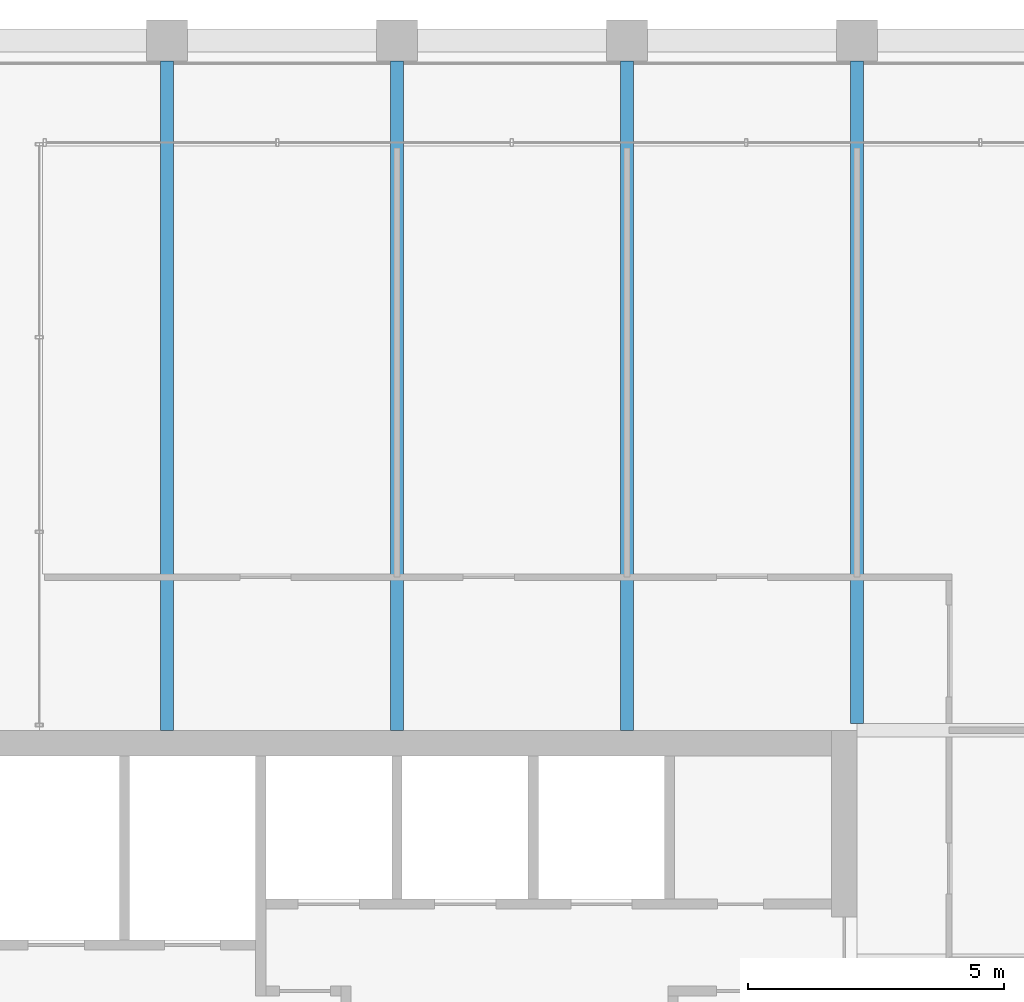
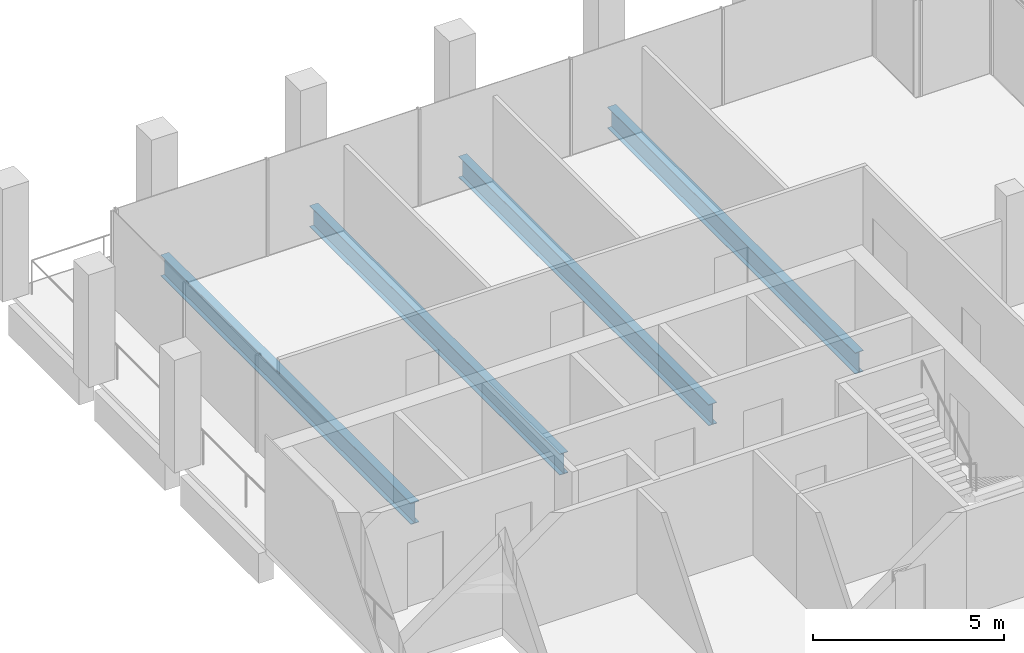
# One storey, part 24 of 62: 4 beams.
"""IFC4 building model written with IfcOpenShell, lengths in metres."""

from ifc_helpers import new_model, si_unit, direction, frame, origin, origin_2d, place, context, subcontext, project, spatial, i_section, extrude, material, material_profile, profile_set, type_object, element, save


model = new_model("IFC4")

# Units and contexts
model_context = context("Model", 3, precision=1e-05, world=origin(), true_north=direction((0.0, 1.0)))
body_context = subcontext(model_context, "Body", "Model", "MODEL_VIEW")
ifc_project = project(units=[si_unit("LENGTHUNIT", "METRE"), si_unit("AREAUNIT", "SQUARE_METRE"), si_unit("VOLUMEUNIT", "CUBIC_METRE"), si_unit("PLANEANGLEUNIT", "RADIAN"), si_unit("MASSUNIT", "GRAM", prefix="KILO")], contexts=[model_context])

# Site, building, storey
site_placement = place(None, origin())
site = spatial("IfcSite", under=ifc_project, at=site_placement, CompositionType="ELEMENT")
building_placement = place(site_placement, origin())
building = spatial("IfcBuilding", under=site, at=building_placement, Name="Altepetl Exchange Towers", CompositionType="ELEMENT")
storey_placement = place(building_placement, frame((0.0, 0.0, 210.0)))
storey = spatial("IfcBuildingStorey", under=building, at=storey_placement, Name="L53", CompositionType="ELEMENT", Elevation=210.0)

# Beams
ifc_material = material(Name="Steel S355", Category="steel")
ifc_material_profile = material_profile(ifc_material, i_section(OverallWidth=0.2529296875, OverallDepth=0.677978515625, WebThickness=0.01171875, FlangeThickness=0.016357421875, at=origin_2d()), Name="W27X84")
ifc_profile_set = profile_set([ifc_material_profile], Name="Steel S355")
beam_type = type_object("IfcBeamType", Name="Floor beam W27X84", PredefinedType="BEAM", material=ifc_profile_set)
for number, where, z_axis, x_axis, name in (
    (1, (45.0, 58.5, -0.489013671875), (0.0, 1.0, 0.0), (-1.0, 0.0, 0.0), "bm:A:L53:000"),
    (2, (49.5, 58.5, -0.489013671875), (0.0, 1.0, 0.0), (-1.0, 0.0, 0.0), "bm:A:L53:001"),
    (3, (54.0, 58.5, -0.489013671875), (0.0, 1.0, 0.0), (-1.0, 0.0, 0.0), "bm:A:L53:002"),
):
    element("IfcBeam", number, at=place(storey_placement, frame(where, z_axis=z_axis, x_axis=x_axis)), inside=storey, type_object=beam_type, Name=name, PredefinedType="BEAM", context=body_context, shape_type="SweptSolid", body=[
        extrude(i_section(OverallWidth=0.2529296875, OverallDepth=0.677978515625, WebThickness=0.01171875, FlangeThickness=0.016357421875, at=origin_2d()), origin(), (0.0, 0.0, 1.0), 13.10009765625),
    ])
beam_placement = place(storey_placement, frame((58.5, 58.634033203125, -0.489013671875), z_axis=(0.0, 1.0, 0.0), x_axis=(-1.0, 0.0, 0.0)))
element("IfcBeam", 4, at=beam_placement, inside=storey, type_object=beam_type, Name="bm:A:L53:003", PredefinedType="BEAM", context=body_context, shape_type="SweptSolid", body=[
    extrude(i_section(OverallWidth=0.2529296875, OverallDepth=0.677978515625, WebThickness=0.01171875, FlangeThickness=0.016357421875, at=origin_2d()), origin(), (0.0, 0.0, 1.0), 12.966064453125),
])

save(model, "model.ifc")
